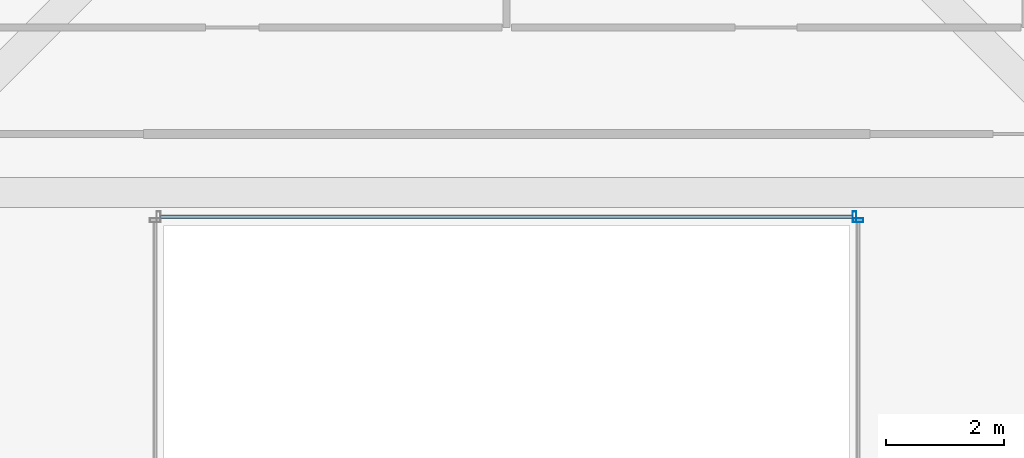
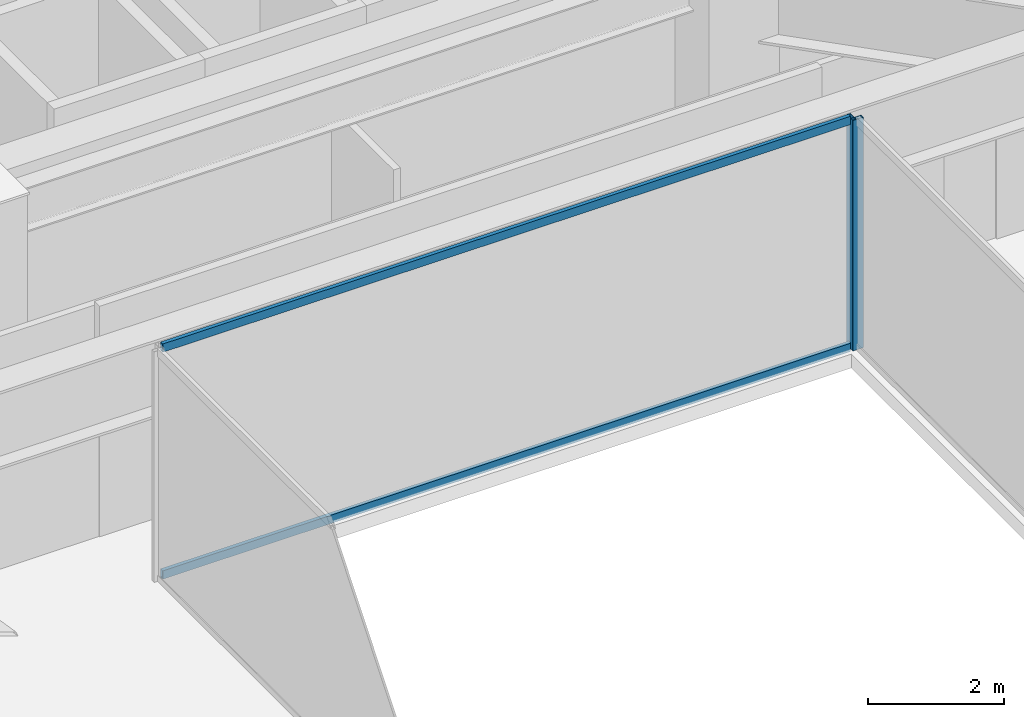
# One storey, part 24 of 40: 4 members, 2 elements without a shape of their own.
"""IFC4 building model written with IfcOpenShell, lengths in metres."""

from ifc_helpers import new_model, si_unit, direction, frame, origin, origin_2d, place, context, subcontext, project, spatial, hollow_rectangle, extrude, material, material_profile, profile_set, type_object, element, aggregate, save


model = new_model("IFC4")

# Units and contexts
model_context = context("Model", 3, precision=1e-05, world=origin(), true_north=direction((0.0, 1.0)))
body_context = subcontext(model_context, "Body", "Model", "MODEL_VIEW")
ifc_project = project(units=[si_unit("LENGTHUNIT", "METRE"), si_unit("AREAUNIT", "SQUARE_METRE"), si_unit("VOLUMEUNIT", "CUBIC_METRE"), si_unit("PLANEANGLEUNIT", "RADIAN"), si_unit("MASSUNIT", "GRAM", prefix="KILO")], contexts=[model_context])

# Site, building, storey
site_placement = place(None, origin())
site = spatial("IfcSite", under=ifc_project, at=site_placement, CompositionType="ELEMENT")
building_placement = place(site_placement, origin())
building = spatial("IfcBuilding", under=site, at=building_placement, Name="Saevonmaru Cultural Tower", CompositionType="ELEMENT")
storey_placement = place(building_placement, frame((0.0, 0.0, 97.199951171875)))
storey = spatial("IfcBuildingStorey", under=building, at=storey_placement, Name="L20", CompositionType="ELEMENT", Elevation=97.199951171875)

# Curtain wall, member
ifc_material = material(Name="Satin Bronze Anodised Aluminium", Category="aluminium")
curtain_wall_type = type_object("IfcCurtainWallType", Name="CW-ATR-GLZ", PredefinedType="NOTDEFINED", material=ifc_material)
curtain_wall_1_placement = place(storey_placement, origin())
curtain_wall_1 = element("IfcCurtainWall", 1, at=curtain_wall_1_placement, inside=storey, type_object=curtain_wall_type, Name="L20 Vertical Atrium Glazed Smoke Screen 2", PredefinedType="NOTDEFINED")
ifc_material_profile_1 = material_profile(ifc_material, hollow_rectangle(XDim=0.06494140625, YDim=0.179931640625, WallThickness=0.00390625, at=origin_2d()), Name="ALU-MULL-180x65x4")
ifc_profile_set_1 = profile_set([ifc_material_profile_1], Name="Satin Bronze Anodised Aluminium")
member_type_1 = type_object("IfcMemberType", Name="ML-CW-INT-180x65", PredefinedType="MULLION", material=ifc_profile_set_1)
member_1_placement = place(storey_placement, frame((35.949951171875, 37.68994140625, 0.0), z_axis=(0.0, 0.0, 1.0), x_axis=(0.0, 1.0, 0.0)))
member_1 = element("IfcMember", 2, at=member_1_placement, type_object=member_type_1, Name="CW-ATR-L20-2 mullion 3", PredefinedType="MULLION", context=body_context, shape_type="SweptSolid", body=[
    extrude(hollow_rectangle(XDim=0.06494140625, YDim=0.179931640625, WallThickness=0.00390625, at=origin_2d()), origin(), (0.0, 0.0, 1.0), 4.150146484375),
])
aggregate(curtain_wall_1, [member_1])

# Curtain wall, members
curtain_wall_2_placement = place(storey_placement, origin())
curtain_wall_2 = element("IfcCurtainWall", 3, at=curtain_wall_2_placement, inside=storey, type_object=curtain_wall_type, Name="L20 Vertical Atrium Glazed Smoke Screen 3", PredefinedType="NOTDEFINED")
member_2_placement = place(storey_placement, frame((35.889892578125, 37.75, 0.0), z_axis=(0.0, 0.0, 1.0), x_axis=(-1.0, 0.0, 0.0)))
member_2 = element("IfcMember", 4, at=member_2_placement, type_object=member_type_1, Name="CW-ATR-L20-3 mullion 1", PredefinedType="MULLION", context=body_context, shape_type="SweptSolid", body=[
    extrude(hollow_rectangle(XDim=0.06494140625, YDim=0.179931640625, WallThickness=0.00390625, at=origin_2d()), origin(), (0.0, 0.0, 1.0), 4.150146484375),
])
ifc_material_profile_2 = material_profile(ifc_material, hollow_rectangle(XDim=0.06494140625, YDim=0.14990234375, WallThickness=0.00390625, at=origin_2d()), Name="ALU-TRAN-150x65x4")
ifc_profile_set_2 = profile_set([ifc_material_profile_2], Name="Satin Bronze Anodised Aluminium")
member_type_2 = type_object("IfcMemberType", Name="TR-CW-INT-150x65", PredefinedType="USERDEFINED", material=ifc_profile_set_2)
member_3_placement = place(storey_placement, frame((35.857421875, 37.75, 0.032470703125), z_axis=(-1.0, 0.0, 0.0), x_axis=(0.0, -1.0, 0.0)))
member_3 = element("IfcMember", 5, at=member_3_placement, type_object=member_type_2, Name="CW-ATR-L20-3 transom 1.1", ObjectType="TRANSOM", PredefinedType="USERDEFINED", context=body_context, shape_type="SweptSolid", body=[
    extrude(hollow_rectangle(XDim=0.06494140625, YDim=0.14990234375, WallThickness=0.00390625, at=origin_2d()), origin(), (0.0, 0.0, 1.0), 11.71484375),
])
member_4_placement = place(storey_placement, frame((35.857421875, 37.75, 4.117431640625), z_axis=(-1.0, 0.0, 0.0), x_axis=(0.0, -1.0, 0.0)))
member_4 = element("IfcMember", 6, at=member_4_placement, type_object=member_type_2, Name="CW-ATR-L20-3 transom 1.2", ObjectType="TRANSOM", PredefinedType="USERDEFINED", context=body_context, shape_type="SweptSolid", body=[
    extrude(hollow_rectangle(XDim=0.06494140625, YDim=0.14990234375, WallThickness=0.00390625, at=origin_2d()), origin(), (0.0, 0.0, 1.0), 11.71484375),
])
aggregate(curtain_wall_2, [member_2, member_3, member_4])

save(model, "model.ifc")
